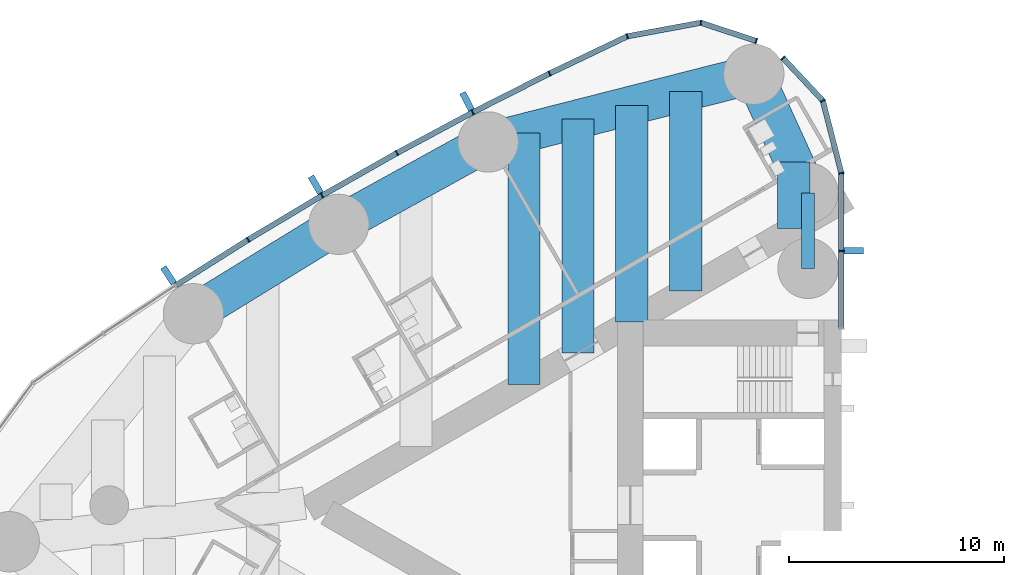
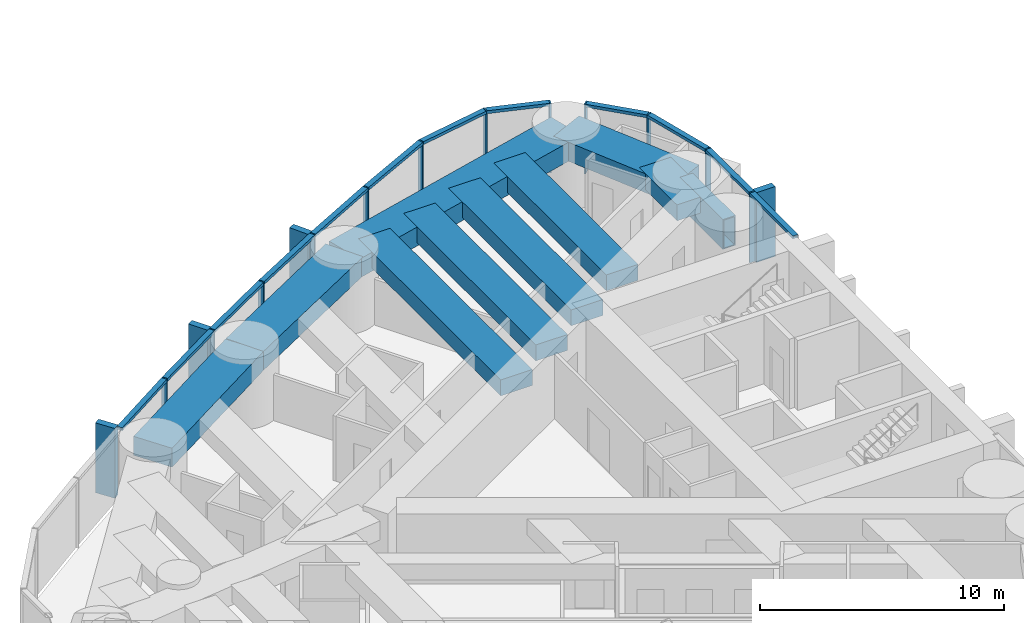
# One storey, part 5 of 19: 28 members, 10 beams, 2 elements without a shape of their own.
"""IFC4 building model written with IfcOpenShell, lengths in metres."""

from ifc_helpers import new_model, si_unit, direction, frame, origin, origin_2d, place, context, subcontext, project, spatial, rectangle, hollow_rectangle, extrude, material, material_profile, profile_set, type_object, element, aggregate, save


model = new_model("IFC4")

# Units and contexts
model_context = context("Model", 3, precision=1e-05, world=origin(), true_north=direction((0.0, 1.0)))
body_context = subcontext(model_context, "Body", "Model", "MODEL_VIEW")
ifc_project = project(units=[si_unit("LENGTHUNIT", "METRE"), si_unit("AREAUNIT", "SQUARE_METRE"), si_unit("VOLUMEUNIT", "CUBIC_METRE"), si_unit("PLANEANGLEUNIT", "RADIAN"), si_unit("MASSUNIT", "GRAM", prefix="KILO")], contexts=[model_context])

# Site, building, storey
site_placement = place(None, origin())
site = spatial("IfcSite", under=ifc_project, at=site_placement, CompositionType="ELEMENT")
building_placement = place(site_placement, origin())
building = spatial("IfcBuilding", under=site, at=building_placement, Name="Lancet Gate Hotel", CompositionType="ELEMENT")
storey_placement = place(building_placement, frame((0.0, 0.0, 170.300048828125)))
storey = spatial("IfcBuildingStorey", under=building, at=storey_placement, Name="L45", CompositionType="ELEMENT", Elevation=170.300048828125)

# Curtain wall, members
ifc_material_1 = material(Name="Aluminium curtain wall", Category="aluminium")
curtain_wall_type = type_object("IfcCurtainWallType", Name="Tower unitised curtain wall", PredefinedType="USERDEFINED", material=ifc_material_1)
curtain_wall_1_placement = place(storey_placement, origin())
curtain_wall_1 = element("IfcCurtainWall", 1, at=curtain_wall_1_placement, inside=storey, type_object=curtain_wall_type, Name="T1 L45 curtain wall 1", ObjectType="UNITISED CURTAIN WALL", PredefinedType="USERDEFINED")
ifc_material_2 = material(Name="Aluminium mullion", Category="aluminium")
ifc_material_profile_1 = material_profile(ifc_material_2, rectangle(XDim=0.06494140625, YDim=0.25, at=origin_2d()), Name="MULLION 65x250")
ifc_profile_set_1 = profile_set([ifc_material_profile_1], Name="Aluminium mullion")
member_type_1 = type_object("IfcMemberType", Name="Aluminium mullion 65x250", PredefinedType="MULLION", material=ifc_profile_set_1)
member_1_placement = place(storey_placement, frame((-27.5, 11.811767578125, 0.0), z_axis=(0.0, 0.0, 1.0), x_axis=(0.0, 1.0, 0.0)))
member_1 = element("IfcMember", 2, at=member_1_placement, type_object=member_type_1, Name="T1 L45 curtain wall 1 mullion 2", PredefinedType="MULLION", context=body_context, shape_type="SweptSolid", body=[
    extrude(rectangle(XDim=0.06494140625, YDim=0.25, at=origin_2d()), origin(), (0.0, 0.0, 1.0), 3.5),
])
member_2_placement = place(storey_placement, frame((-27.5, 15.42333984375, 0.0), z_axis=(0.0, 0.0, 1.0), x_axis=(-0.122467472845, 0.992472527627, 0.0)))
member_2 = element("IfcMember", 3, at=member_2_placement, type_object=member_type_1, Name="T1 L45 curtain wall 1 mullion 3", PredefinedType="MULLION", context=body_context, shape_type="SweptSolid", body=[
    extrude(rectangle(XDim=0.06494140625, YDim=0.25, at=origin_2d()), origin(), (0.0, 0.0, 1.0), 3.5),
])
member_3_placement = place(storey_placement, frame((-28.360595703125, 18.7861328125, 0.0), z_axis=(0.0, 0.0, 1.0), x_axis=(-0.452507601198, 0.891760545695, 0.0)))
member_3 = element("IfcMember", 4, at=member_3_placement, type_object=member_type_1, Name="T1 L45 curtain wall 1 mullion 4", PredefinedType="MULLION", context=body_context, shape_type="SweptSolid", body=[
    extrude(rectangle(XDim=0.06494140625, YDim=0.25, at=origin_2d()), origin(), (0.0, 0.0, 1.0), 3.5),
])
member_4_placement = place(storey_placement, frame((-30.210693359375, 20.765625, 0.0), z_axis=(0.0, 0.0, 1.0), x_axis=(-0.682844962172, 0.730563315282, 0.0)))
member_4 = element("IfcMember", 5, at=member_4_placement, type_object=member_type_1, Name="T1 L45 curtain wall 1 mullion 5", PredefinedType="MULLION", context=body_context, shape_type="SweptSolid", body=[
    extrude(rectangle(XDim=0.06494140625, YDim=0.25, at=origin_2d()), origin(), (0.0, 0.0, 1.0), 3.5),
])

curtain_wall_2_placement = place(storey_placement, origin())
curtain_wall_2 = element("IfcCurtainWall", 6, at=curtain_wall_2_placement, inside=storey, type_object=curtain_wall_type, Name="T1 L45 curtain wall 2", ObjectType="UNITISED CURTAIN WALL", PredefinedType="USERDEFINED")
member_5_placement = place(storey_placement, frame((-31.45263671875, 21.5595703125, 0.0), z_axis=(0.0, 0.0, 1.0), x_axis=(-0.949848055084, 0.312711803827, 0.0)))
member_5 = element("IfcMember", 7, at=member_5_placement, type_object=member_type_1, Name="T1 L45 curtain wall 2 mullion 1", PredefinedType="MULLION", context=body_context, shape_type="SweptSolid", body=[
    extrude(rectangle(XDim=0.06494140625, YDim=0.25, at=origin_2d()), origin(), (0.0, 0.0, 1.0), 3.5),
])
member_6_placement = place(storey_placement, frame((-34.02783203125, 22.407470703125, 0.0), z_axis=(0.0, 0.0, 1.0), x_axis=(-0.999350473622, 0.036036521361, 0.0)))
member_6 = element("IfcMember", 8, at=member_6_placement, type_object=member_type_1, Name="T1 L45 curtain wall 2 mullion 2", PredefinedType="MULLION", context=body_context, shape_type="SweptSolid", body=[
    extrude(rectangle(XDim=0.06494140625, YDim=0.25, at=origin_2d()), origin(), (0.0, 0.0, 1.0), 3.5),
])
member_7_placement = place(storey_placement, frame((-37.44091796875, 21.775634765625, 0.0), z_axis=(0.0, 0.0, 1.0), x_axis=(-0.948119321052, -0.317914694609, 0.0)))
member_7 = element("IfcMember", 9, at=member_7_placement, type_object=member_type_1, Name="T1 L45 curtain wall 2 mullion 3", PredefinedType="MULLION", context=body_context, shape_type="SweptSolid", body=[
    extrude(rectangle(XDim=0.06494140625, YDim=0.25, at=origin_2d()), origin(), (0.0, 0.0, 1.0), 3.5),
])
member_8_placement = place(storey_placement, frame((-41.0498046875, 20.052978515625, 0.0), z_axis=(0.0, 0.0, 1.0), x_axis=(-0.897324392142, -0.441371652088, 0.0)))
member_8 = element("IfcMember", 10, at=member_8_placement, type_object=member_type_1, Name="T1 L45 curtain wall 2 mullion 4", PredefinedType="MULLION", context=body_context, shape_type="SweptSolid", body=[
    extrude(rectangle(XDim=0.06494140625, YDim=0.25, at=origin_2d()), origin(), (0.0, 0.0, 1.0), 3.5),
])
member_9_placement = place(storey_placement, frame((-44.6171875, 18.245849609375, 0.0), z_axis=(0.0, 0.0, 1.0), x_axis=(-0.886694440064, -0.462355891019, 0.0)))
member_9 = element("IfcMember", 11, at=member_9_placement, type_object=member_type_1, Name="T1 L45 curtain wall 2 mullion 5", PredefinedType="MULLION", context=body_context, shape_type="SweptSolid", body=[
    extrude(rectangle(XDim=0.06494140625, YDim=0.25, at=origin_2d()), origin(), (0.0, 0.0, 1.0), 3.5),
])
member_10_placement = place(storey_placement, frame((-48.140869140625, 16.355224609375, 0.0), z_axis=(0.0, 0.0, 1.0), x_axis=(-0.87557384965, -0.483084292654, 0.0)))
member_10 = element("IfcMember", 12, at=member_10_placement, type_object=member_type_1, Name="T1 L45 curtain wall 2 mullion 6", PredefinedType="MULLION", context=body_context, shape_type="SweptSolid", body=[
    extrude(rectangle(XDim=0.06494140625, YDim=0.25, at=origin_2d()), origin(), (0.0, 0.0, 1.0), 3.5),
])
member_11_placement = place(storey_placement, frame((-51.619384765625, 14.38232421875, 0.0), z_axis=(0.0, 0.0, 1.0), x_axis=(-0.863968774311, -0.503545387245, 0.0)))
member_11 = element("IfcMember", 13, at=member_11_placement, type_object=member_type_1, Name="T1 L45 curtain wall 2 mullion 7", PredefinedType="MULLION", context=body_context, shape_type="SweptSolid", body=[
    extrude(rectangle(XDim=0.06494140625, YDim=0.25, at=origin_2d()), origin(), (0.0, 0.0, 1.0), 3.5),
])
member_12_placement = place(storey_placement, frame((-55.05029296875, 12.328369140625, 0.0), z_axis=(0.0, 0.0, 1.0), x_axis=(-0.851885635531, -0.52372785297, 0.0)))
member_12 = element("IfcMember", 14, at=member_12_placement, type_object=member_type_1, Name="T1 L45 curtain wall 2 mullion 8", PredefinedType="MULLION", context=body_context, shape_type="SweptSolid", body=[
    extrude(rectangle(XDim=0.06494140625, YDim=0.25, at=origin_2d()), origin(), (0.0, 0.0, 1.0), 3.5),
])

# Member
ifc_material_3 = material(Name="Aluminium transom", Category="aluminium")
ifc_material_profile_2 = material_profile(ifc_material_3, rectangle(XDim=0.25, YDim=0.14990234375, at=origin_2d()), Name="TRANSOM 250x150")
ifc_profile_set_2 = profile_set([ifc_material_profile_2], Name="Aluminium transom")
member_type_2 = type_object("IfcMemberType", Name="Aluminium transom 250x150", PredefinedType="USERDEFINED", material=ifc_profile_set_2)
member_13_placement = place(storey_placement, frame((-27.5, 8.232421875, 3.425048828125), z_axis=(0.0, 1.0, 0.0), x_axis=(-1.0, 0.0, 0.0)))
member_13 = element("IfcMember", 15, at=member_13_placement, type_object=member_type_2, Name="T1 L45 curtain wall 1 transom 1", ObjectType="TRANSOM", PredefinedType="USERDEFINED", context=body_context, shape_type="SweptSolid", body=[
    extrude(rectangle(XDim=0.25, YDim=0.14990234375, at=origin_2d()), origin(), (0.0, 0.0, 1.0), 3.546875),
])

member_14_placement = place(storey_placement, frame((-27.5, 11.84423828125, 3.425048828125), z_axis=(0.0, 1.0, 0.0), x_axis=(-1.0, 0.0, 0.0)))
member_14 = element("IfcMember", 16, at=member_14_placement, type_object=member_type_2, Name="T1 L45 curtain wall 1 transom 2", ObjectType="TRANSOM", PredefinedType="USERDEFINED", context=body_context, shape_type="SweptSolid", body=[
    extrude(rectangle(XDim=0.25, YDim=0.14990234375, at=origin_2d()), origin(), (0.0, 0.0, 1.0), 3.546630859375),
])

member_15_placement = place(storey_placement, frame((-27.508056640625, 15.454833984375, 3.425048828125), z_axis=(-0.247928683912, 0.968778286139, 0.0), x_axis=(-0.968778286139, -0.247928683912, 0.0)))
member_15 = element("IfcMember", 17, at=member_15_placement, type_object=member_type_2, Name="T1 L45 curtain wall 1 transom 3", ObjectType="TRANSOM", PredefinedType="USERDEFINED", context=body_context, shape_type="SweptSolid", body=[
    extrude(rectangle(XDim=0.25, YDim=0.14990234375, at=origin_2d()), origin(), (0.0, 0.0, 1.0), 3.40625),
])

member_16_placement = place(storey_placement, frame((-28.3828125, 18.809814453125, 3.425048828125), z_axis=(-0.682841037959, 0.730566983157, 0.0), x_axis=(-0.730566983157, -0.682841037959, 0.0)))
member_16 = element("IfcMember", 18, at=member_16_placement, type_object=member_type_2, Name="T1 L45 curtain wall 1 transom 4", ObjectType="TRANSOM", PredefinedType="USERDEFINED", context=body_context, shape_type="SweptSolid", body=[
    extrude(rectangle(XDim=0.25, YDim=0.14990234375, at=origin_2d()), origin(), (0.0, 0.0, 1.0), 2.644775390625),
])

member_17_placement = place(storey_placement, frame((-31.483642578125, 21.56982421875, 3.425048828125), z_axis=(-0.949857661259, 0.312682623993, 0.0), x_axis=(-0.312682623993, -0.949857661259, 0.0)))
member_17 = element("IfcMember", 19, at=member_17_placement, type_object=member_type_2, Name="T1 L45 curtain wall 2 transom 1", ObjectType="TRANSOM", PredefinedType="USERDEFINED", context=body_context, shape_type="SweptSolid", body=[
    extrude(rectangle(XDim=0.25, YDim=0.14990234375, at=origin_2d()), origin(), (0.0, 0.0, 1.0), 2.64599609375),
])

member_18_placement = place(storey_placement, frame((-34.059814453125, 22.401611328125, 3.425048828125), z_axis=(-0.983286757871, -0.182063592724, 0.0), x_axis=(0.182063592724, -0.983286757871, 0.0)))
member_18 = element("IfcMember", 20, at=member_18_placement, type_object=member_type_2, Name="T1 L45 curtain wall 2 transom 2", ObjectType="TRANSOM", PredefinedType="USERDEFINED", context=body_context, shape_type="SweptSolid", body=[
    extrude(rectangle(XDim=0.25, YDim=0.14990234375, at=origin_2d()), origin(), (0.0, 0.0, 1.0), 3.406005859375),
])

member_19_placement = place(storey_placement, frame((-37.47021484375, 21.761474609375, 3.425048828125), z_axis=(-0.902468975385, -0.430754858902, 0.0), x_axis=(0.430754858902, -0.902468975385, 0.0)))
member_19 = element("IfcMember", 21, at=member_19_placement, type_object=member_type_2, Name="T1 L45 curtain wall 2 transom 3", ObjectType="TRANSOM", PredefinedType="USERDEFINED", context=body_context, shape_type="SweptSolid", body=[
    extrude(rectangle(XDim=0.25, YDim=0.14990234375, at=origin_2d()), origin(), (0.0, 0.0, 1.0), 3.93408203125),
])

member_20_placement = place(storey_placement, frame((-41.078857421875, 20.0380859375, 3.425048828125), z_axis=(-0.892081477453, -0.451874581699, 0.0), x_axis=(0.451874581699, -0.892081477453, 0.0)))
member_20 = element("IfcMember", 22, at=member_20_placement, type_object=member_type_2, Name="T1 L45 curtain wall 2 transom 4", ObjectType="TRANSOM", PredefinedType="USERDEFINED", context=body_context, shape_type="SweptSolid", body=[
    extrude(rectangle(XDim=0.25, YDim=0.14990234375, at=origin_2d()), origin(), (0.0, 0.0, 1.0), 3.933837890625),
])

member_21_placement = place(storey_placement, frame((-44.645751953125, 18.23046875, 3.425048828125), z_axis=(-0.881185491994, -0.472770693571, 0.0), x_axis=(0.472770693571, -0.881185491994, 0.0)))
member_21 = element("IfcMember", 23, at=member_21_placement, type_object=member_type_2, Name="T1 L45 curtain wall 2 transom 5", ObjectType="TRANSOM", PredefinedType="USERDEFINED", context=body_context, shape_type="SweptSolid", body=[
    extrude(rectangle(XDim=0.25, YDim=0.14990234375, at=origin_2d()), origin(), (0.0, 0.0, 1.0), 3.93408203125),
])

member_22_placement = place(storey_placement, frame((-48.169189453125, 16.33935546875, 3.425048828125), z_axis=(-0.869819807367, -0.493369539709, 0.0), x_axis=(0.493369539709, -0.869819807367, 0.0)))
member_22 = element("IfcMember", 24, at=member_22_placement, type_object=member_type_2, Name="T1 L45 curtain wall 2 transom 6", ObjectType="TRANSOM", PredefinedType="USERDEFINED", context=body_context, shape_type="SweptSolid", body=[
    extrude(rectangle(XDim=0.25, YDim=0.14990234375, at=origin_2d()), origin(), (0.0, 0.0, 1.0), 3.93408203125),
])

member_23_placement = place(storey_placement, frame((-51.647216796875, 14.36572265625, 3.425048828125), z_axis=(-0.857985365092, -0.513674131419, 0.0), x_axis=(0.513674131419, -0.857985365092, 0.0)))
member_23 = element("IfcMember", 25, at=member_23_placement, type_object=member_type_2, Name="T1 L45 curtain wall 2 transom 7", ObjectType="TRANSOM", PredefinedType="USERDEFINED", context=body_context, shape_type="SweptSolid", body=[
    extrude(rectangle(XDim=0.25, YDim=0.14990234375, at=origin_2d()), origin(), (0.0, 0.0, 1.0), 3.933837890625),
])

member_24_placement = place(storey_placement, frame((-55.077880859375, 12.31103515625, 3.425048828125), z_axis=(-0.845671711095, -0.53370343549, 0.0), x_axis=(0.53370343549, -0.845671711095, 0.0)))
member_24 = element("IfcMember", 26, at=member_24_placement, type_object=member_type_2, Name="T1 L45 curtain wall 2 transom 8", ObjectType="TRANSOM", PredefinedType="USERDEFINED", context=body_context, shape_type="SweptSolid", body=[
    extrude(rectangle(XDim=0.25, YDim=0.14990234375, at=origin_2d()), origin(), (0.0, 0.0, 1.0), 3.93408203125),
])

# Beams
ifc_material_4 = material(Name="Concrete C50/60", Category="concrete")
ifc_material_profile_3 = material_profile(ifc_material_4, rectangle(XDim=1.800048828125, YDim=0.949951171875, at=origin_2d()), Name="RC 1800x950")
ifc_profile_set_3 = profile_set([ifc_material_profile_3], Name="Concrete C50/60")
beam_type_1 = type_object("IfcBeamType", Name="Edge beam RC 1800x950", PredefinedType="SPANDREL", material=ifc_profile_set_3)
beam_1_placement = place(storey_placement, frame((-31.5654296875, 20.015869140625, 2.77490234375), z_axis=(-0.969008414312, -0.247027717052, 0.0), x_axis=(0.247027717052, -0.969008414312, 0.0)))
element("IfcBeam", 27, at=beam_1_placement, inside=storey, type_object=beam_type_1, Name="T1 edge beam EB1 L45", PredefinedType="SPANDREL", context=body_context, shape_type="SweptSolid", body=[
    extrude(rectangle(XDim=1.800048828125, YDim=0.949951171875, at=origin_2d()), origin(), (0.0, 0.0, 1.0), 12.7294921875),
])
beam_2_placement = place(storey_placement, frame((-43.900390625, 16.871337890625, 2.77490234375), z_axis=(-0.875577684027, -0.483077342911, 0.0), x_axis=(0.483077342911, -0.875577684027, 0.0)))
element("IfcBeam", 28, at=beam_2_placement, inside=storey, type_object=beam_type_1, Name="T1 edge beam EB1 L45", PredefinedType="SPANDREL", context=body_context, shape_type="SweptSolid", body=[
    extrude(rectangle(XDim=1.800048828125, YDim=0.949951171875, at=origin_2d()), origin(), (0.0, 0.0, 1.0), 7.924560546875),
])
beam_3_placement = place(storey_placement, frame((-50.8388671875, 13.043212890625, 2.77490234375), z_axis=(-0.851892008043, -0.523717487423, 0.0), x_axis=(0.523717487423, -0.851892008043, 0.0)))
element("IfcBeam", 29, at=beam_3_placement, inside=storey, type_object=beam_type_1, Name="T1 edge beam EB1 L45", PredefinedType="SPANDREL", context=body_context, shape_type="SweptSolid", body=[
    extrude(rectangle(XDim=1.800048828125, YDim=0.949951171875, at=origin_2d()), origin(), (0.0, 0.0, 1.0), 7.92431640625),
])
beam_4_placement = place(storey_placement, frame((-31.5654296875, 20.015869140625, 2.77490234375), z_axis=(0.414919206993, -0.909858259109, 0.0), x_axis=(0.909858259109, 0.414919206993, 0.0)))
element("IfcBeam", 30, at=beam_4_placement, inside=storey, type_object=beam_type_1, Name="T1 edge beam EB1 L45", PredefinedType="SPANDREL", context=body_context, shape_type="SweptSolid", body=[
    extrude(rectangle(XDim=1.800048828125, YDim=0.949951171875, at=origin_2d()), origin(), (0.0, 0.0, 1.0), 6.062255859375),
])

# Member
ifc_material_5 = material(Name="Precast concrete C50/60", Category="concrete")
ifc_material_profile_4 = material_profile(ifc_material_5, rectangle(XDim=0.300048828125, YDim=0.89990234375, at=origin_2d()), Name="FIN 300x900")
ifc_profile_set_4 = profile_set([ifc_material_profile_4], Name="Precast concrete C50/60")
member_type_3 = type_object("IfcMemberType", Name="Exposed concrete fin 300x900", PredefinedType="USERDEFINED", material=ifc_profile_set_4)
member_25_placement = place(storey_placement, frame((-26.925048828125, 11.811767578125, 0.0), z_axis=(0.0, 0.0, 1.0), x_axis=(0.0, 1.0, 0.0)))
member_25 = element("IfcMember", 31, at=member_25_placement, type_object=member_type_3, Name="T1 L45 curtain wall 1 fin 2", ObjectType="FIN", PredefinedType="USERDEFINED", context=body_context, shape_type="SweptSolid", body=[
    extrude(rectangle(XDim=0.300048828125, YDim=0.89990234375, at=origin_2d()), origin(), (0.0, 0.0, 1.0), 3.5),
])

aggregate(curtain_wall_1, [member_1, member_25, member_2, member_3, member_4, member_13, member_14, member_15, member_16])

member_26_placement = place(storey_placement, frame((-44.883056640625, 18.755615234375, 0.0), z_axis=(0.0, 0.0, 1.0), x_axis=(-0.886694440064, -0.462355891019, 0.0)))
member_26 = element("IfcMember", 32, at=member_26_placement, type_object=member_type_3, Name="T1 L45 curtain wall 2 fin 5", ObjectType="FIN", PredefinedType="USERDEFINED", context=body_context, shape_type="SweptSolid", body=[
    extrude(rectangle(XDim=0.300048828125, YDim=0.89990234375, at=origin_2d()), origin(), (0.0, 0.0, 1.0), 3.5),
])

member_27_placement = place(storey_placement, frame((-51.908935546875, 14.879150390625, 0.0), z_axis=(0.0, 0.0, 1.0), x_axis=(-0.863968774311, -0.503545387245, 0.0)))
member_27 = element("IfcMember", 33, at=member_27_placement, type_object=member_type_3, Name="T1 L45 curtain wall 2 fin 7", ObjectType="FIN", PredefinedType="USERDEFINED", context=body_context, shape_type="SweptSolid", body=[
    extrude(rectangle(XDim=0.300048828125, YDim=0.89990234375, at=origin_2d()), origin(), (0.0, 0.0, 1.0), 3.5),
])

member_28_placement = place(storey_placement, frame((-58.74462890625, 10.6767578125, 0.0), z_axis=(0.0, 0.0, 1.0), x_axis=(-0.839331119324, -0.54362052218, 0.0)))
member_28 = element("IfcMember", 34, at=member_28_placement, type_object=member_type_3, Name="T1 L45 curtain wall 2 fin 9", ObjectType="FIN", PredefinedType="USERDEFINED", context=body_context, shape_type="SweptSolid", body=[
    extrude(rectangle(XDim=0.300048828125, YDim=0.89990234375, at=origin_2d()), origin(), (0.0, 0.0, 1.0), 3.5),
])

aggregate(curtain_wall_2, [member_5, member_6, member_7, member_8, member_9, member_26, member_10, member_11, member_27, member_12, member_28, member_17, member_18, member_19, member_20, member_21, member_22, member_23, member_24])

# Beams
ifc_material_6 = material(Name="Concrete C50/60", Category="concrete")
ifc_material_profile_5 = material_profile(ifc_material_6, rectangle(XDim=1.5, YDim=0.800048828125, at=origin_2d()), Name="RC 1500x800")
ifc_profile_set_5 = profile_set([ifc_material_profile_5], Name="Concrete C50/60")
beam_type_2 = type_object("IfcBeamType", Name="Floor beam RC 1500x800", PredefinedType="BEAM", material=ifc_profile_set_5)
beam_5_placement = place(storey_placement, frame((-29.706787109375, 15.940185546875, 2.849853515625), z_axis=(0.0, -1.0, 0.0), x_axis=(1.0, 0.0, 0.0)))
element("IfcBeam", 35, at=beam_5_placement, inside=storey, type_object=beam_type_2, Name="T1 floor beam F01S L45", PredefinedType="BEAM", context=body_context, shape_type="SweptSolid", body=[
    extrude(rectangle(XDim=1.5, YDim=0.800048828125, at=origin_2d()), origin(), (0.0, 0.0, 1.0), 3.087646484375),
])
beam_6_placement = place(storey_placement, frame((-34.720458984375, 19.211669921875, 2.849853515625), z_axis=(0.0, -1.0, 0.0), x_axis=(1.0, 0.0, 0.0)))
element("IfcBeam", 36, at=beam_6_placement, inside=storey, type_object=beam_type_2, Name="T1 floor beam F03S L45", PredefinedType="BEAM", context=body_context, shape_type="SweptSolid", body=[
    extrude(rectangle(XDim=1.5, YDim=0.800048828125, at=origin_2d()), origin(), (0.0, 0.0, 1.0), 9.253662109375),
])
beam_7_placement = place(storey_placement, frame((-37.227294921875, 18.572509765625, 2.849853515625), z_axis=(0.0, -1.0, 0.0), x_axis=(1.0, 0.0, 0.0)))
element("IfcBeam", 37, at=beam_7_placement, inside=storey, type_object=beam_type_2, Name="T1 floor beam F04S L45", PredefinedType="BEAM", context=body_context, shape_type="SweptSolid", body=[
    extrude(rectangle(XDim=1.5, YDim=0.800048828125, at=origin_2d()), origin(), (0.0, 0.0, 1.0), 10.061767578125),
])
beam_8_placement = place(storey_placement, frame((-39.734130859375, 17.93359375, 2.849853515625), z_axis=(0.0, -1.0, 0.0), x_axis=(1.0, 0.0, 0.0)))
element("IfcBeam", 38, at=beam_8_placement, inside=storey, type_object=beam_type_2, Name="T1 floor beam F06S L45", PredefinedType="BEAM", context=body_context, shape_type="SweptSolid", body=[
    extrude(rectangle(XDim=1.5, YDim=0.800048828125, at=origin_2d()), origin(), (0.0, 0.0, 1.0), 10.8701171875),
])
beam_9_placement = place(storey_placement, frame((-42.240966796875, 17.29443359375, 2.849853515625), z_axis=(0.0, -1.0, 0.0), x_axis=(1.0, 0.0, 0.0)))
element("IfcBeam", 39, at=beam_9_placement, inside=storey, type_object=beam_type_2, Name="T1 floor beam F07S L45", PredefinedType="BEAM", context=body_context, shape_type="SweptSolid", body=[
    extrude(rectangle(XDim=1.5, YDim=0.800048828125, at=origin_2d()), origin(), (0.0, 0.0, 1.0), 11.678466796875),
])
ifc_material_7 = material(Name="Steel S460QL", Category="steel")
ifc_material_profile_6 = material_profile(ifc_material_7, hollow_rectangle(XDim=0.60009765625, YDim=1.5, WallThickness=0.050048828125, at=origin_2d()), Name="BOX 1500x600x50")
ifc_profile_set_6 = profile_set([ifc_material_profile_6], Name="Steel S460QL")
beam_type_3 = type_object("IfcBeamType", Name="Inner-face link beam BOX 1500x600x50", PredefinedType="BEAM", material=ifc_profile_set_6)
beam_10_placement = place(storey_placement, frame((-29.050048828125, 14.5, 2.5), z_axis=(0.0, -1.0, 0.0), x_axis=(1.0, 0.0, 0.0)))
element("IfcBeam", 40, at=beam_10_placement, inside=storey, type_object=beam_type_3, Name="T1 inner-face link beam LK1 L45", PredefinedType="BEAM", context=body_context, shape_type="SweptSolid", body=[
    extrude(hollow_rectangle(XDim=0.60009765625, YDim=1.5, WallThickness=0.050048828125, at=origin_2d()), origin(), (0.0, 0.0, 1.0), 3.5),
])

save(model, "model.ifc")
